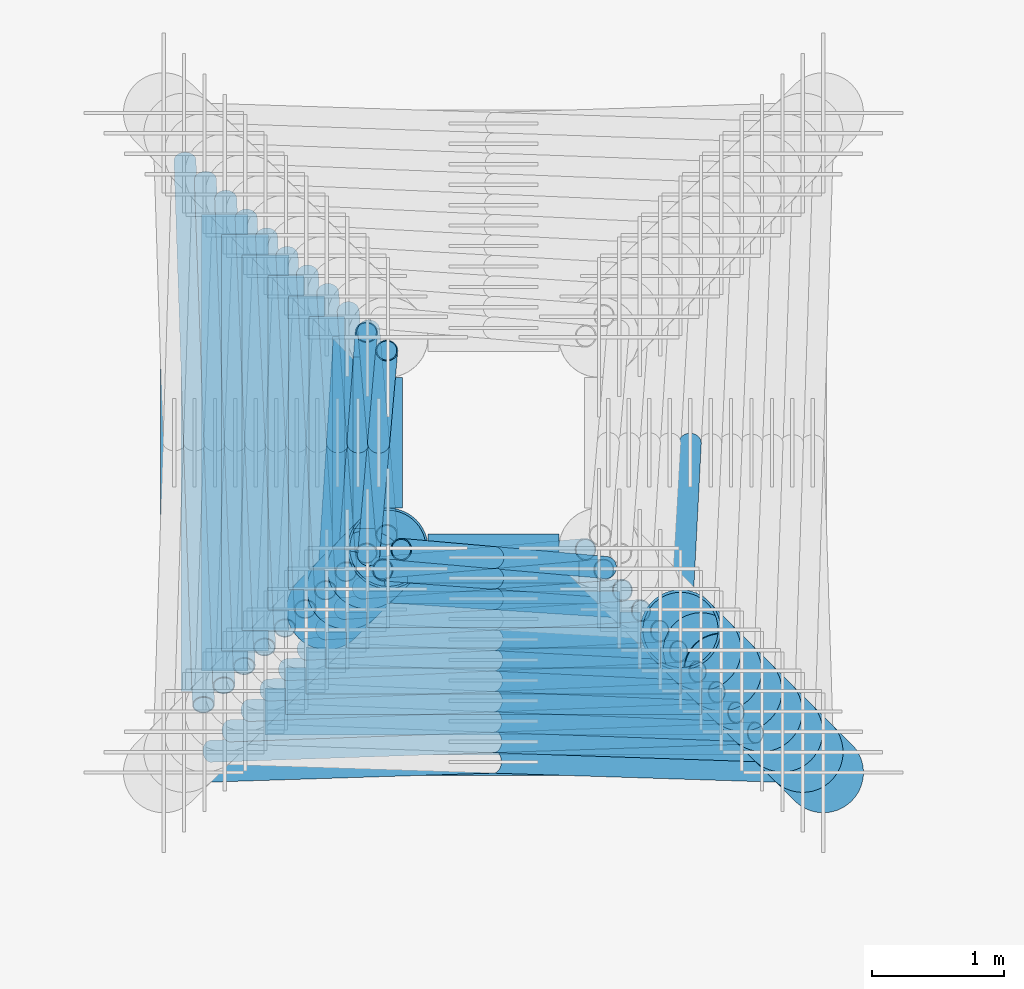
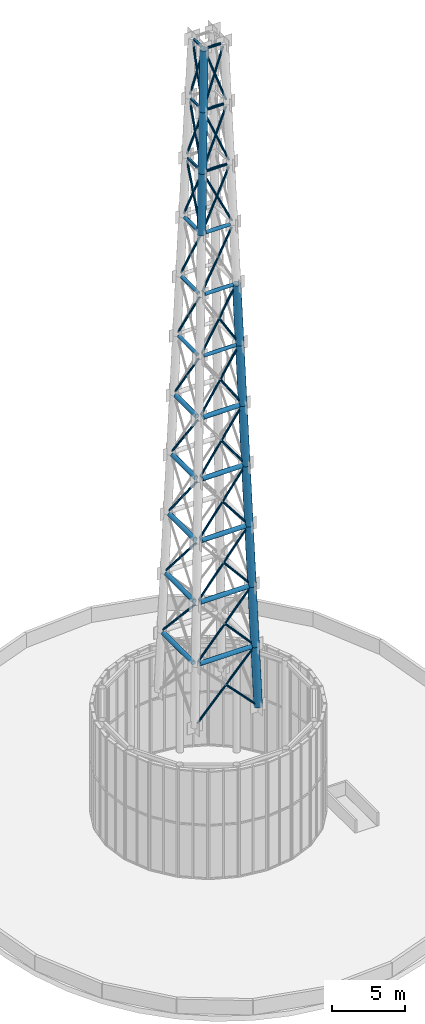
# One storey, part 3 of 11: 73 members.
"""IFC4 building model written with IfcOpenShell, lengths in metres."""

from ifc_helpers import new_model, si_unit, direction, frame, origin, origin_2d, place, context, subcontext, project, spatial, hollow_circle, extrude, material, material_profile, profile_set, type_object, element, save


model = new_model("IFC4")

# Units and contexts
model_context = context("Model", 3, precision=1e-05, world=origin(), true_north=direction((0.0, 1.0)))
body_context = subcontext(model_context, "Body", "Model", "MODEL_VIEW")
ifc_project = project(units=[si_unit("LENGTHUNIT", "METRE"), si_unit("AREAUNIT", "SQUARE_METRE"), si_unit("VOLUMEUNIT", "CUBIC_METRE"), si_unit("PLANEANGLEUNIT", "RADIAN"), si_unit("MASSUNIT", "GRAM", prefix="KILO")], contexts=[model_context])

# Site, building, storey
site_placement = place(None, origin())
site = spatial("IfcSite", under=ifc_project, at=site_placement, CompositionType="ELEMENT")
building_placement = place(site_placement, origin())
building = spatial("IfcBuilding", under=site, at=building_placement, Name="Vermilion Reach Broadcast Tower", CompositionType="ELEMENT")
storey_placement = place(building_placement, frame((0.0, 0.0, 329.699951171875)))
storey = spatial("IfcBuildingStorey", under=building, at=storey_placement, Name="RF", CompositionType="ELEMENT", Elevation=329.699951171875)

# Members
ifc_material_1 = material(Name="Steel S355J2H", Category="steel")
ifc_material_profile_1 = material_profile(ifc_material_1, hollow_circle(Radius=0.084228515625, WallThickness=0.008056640625, at=origin_2d()), Name="S355J2H CHS 168x8")
ifc_profile_set_1 = profile_set([ifc_material_profile_1], Name="Steel S355J2H")
member_type_1 = type_object("IfcMemberType", Name="MBR CHS 168x8", PredefinedType="BRACE", material=ifc_profile_set_1)
member_1_placement = place(storey_placement, frame((-8.287841796875, -2.4931640625, 9.718994140625), z_axis=(0.695761707887, 0.022168783779, 0.717930491666), x_axis=(-0.031846448183, 0.99949277323, 0.0)))
element("IfcMember", 1, at=member_1_placement, inside=storey, type_object=member_type_1, Name="Mast brace panel 1", PredefinedType="BRACE", context=body_context, shape_type="SweptSolid", body=[
    extrude(hollow_circle(Radius=0.084228515625, WallThickness=0.008056640625, at=origin_2d()), origin(), (0.0, 0.0, 1.0), 6.3544921875),
])
member_2_placement = place(storey_placement, frame((-3.712158203125, -2.4931640625, 9.718994140625), z_axis=(-0.695745823055, 0.022199125077, 0.717944948132), x_axis=(-0.031890717869, -0.9994913617, 0.0)))
element("IfcMember", 2, at=member_2_placement, inside=storey, type_object=member_type_1, Name="Mast brace panel 1", PredefinedType="BRACE", context=body_context, shape_type="SweptSolid", body=[
    extrude(hollow_circle(Radius=0.084228515625, WallThickness=0.008056640625, at=origin_2d()), origin(), (0.0, 0.0, 1.0), 3.288330078125),
])
member_3_placement = place(storey_placement, frame((-8.140625, -2.33837890625, 14.725830078125), z_axis=(0.671770828267, 0.022852051485, 0.740406468119), x_axis=(-0.033997964486, 0.999421902107, 0.0)))
element("IfcMember", 3, at=member_3_placement, inside=storey, type_object=member_type_1, Name="Mast brace panel 2", PredefinedType="BRACE", context=body_context, shape_type="SweptSolid", body=[
    extrude(hollow_circle(Radius=0.084228515625, WallThickness=0.008056640625, at=origin_2d()), origin(), (0.0, 0.0, 1.0), 6.14306640625),
])
member_4_placement = place(storey_placement, frame((-3.859375, -2.33837890625, 14.725830078125), z_axis=(-0.671764937339, 0.022831426931, 0.740412449184), x_axis=(-0.033967613409, -0.999422934117, 0.0)))
element("IfcMember", 4, at=member_4_placement, inside=storey, type_object=member_type_1, Name="Mast brace panel 2", PredefinedType="BRACE", context=body_context, shape_type="SweptSolid", body=[
    extrude(hollow_circle(Radius=0.084228515625, WallThickness=0.008056640625, at=origin_2d()), origin(), (0.0, 0.0, 1.0), 3.1865234375),
])
member_5_placement = place(storey_placement, frame((-8.33837890625, 2.140625, 14.725830078125), z_axis=(0.022852051485, -0.671770828267, 0.740406468119), x_axis=(0.999421902107, 0.033997964486, 0.0)))
element("IfcMember", 5, at=member_5_placement, inside=storey, type_object=member_type_1, Name="Mast brace panel 2", PredefinedType="BRACE", context=body_context, shape_type="SweptSolid", body=[
    extrude(hollow_circle(Radius=0.084228515625, WallThickness=0.008056640625, at=origin_2d()), origin(), (0.0, 0.0, 1.0), 6.14306640625),
])
member_6_placement = place(storey_placement, frame((-7.994140625, -2.18359375, 19.73291015625), z_axis=(0.645480445535, 0.023594585476, 0.763412267368), x_axis=(-0.036529128567, 0.999332588664, 0.0)))
element("IfcMember", 6, at=member_6_placement, inside=storey, type_object=member_type_1, Name="Mast brace panel 3", PredefinedType="BRACE", context=body_context, shape_type="SweptSolid", body=[
    extrude(hollow_circle(Radius=0.084228515625, WallThickness=0.008056640625, at=origin_2d()), origin(), (0.0, 0.0, 1.0), 5.939453125),
])
member_7_placement = place(storey_placement, frame((-4.005859375, -2.18359375, 19.73291015625), z_axis=(-0.645454876267, 0.023548672028, 0.763435303577), x_axis=(-0.036459582305, -0.999335128402, 0.0)))
element("IfcMember", 7, at=member_7_placement, inside=storey, type_object=member_type_1, Name="Mast brace panel 3", PredefinedType="BRACE", context=body_context, shape_type="SweptSolid", body=[
    extrude(hollow_circle(Radius=0.084228515625, WallThickness=0.008056640625, at=origin_2d()), origin(), (0.0, 0.0, 1.0), 3.089599609375),
])
member_8_placement = place(storey_placement, frame((-8.18359375, 1.994140625, 19.73291015625), z_axis=(0.023594585476, -0.645480445535, 0.763412267368), x_axis=(0.999332588664, 0.036529128567, 0.0)))
element("IfcMember", 8, at=member_8_placement, inside=storey, type_object=member_type_1, Name="Mast brace panel 3", PredefinedType="BRACE", context=body_context, shape_type="SweptSolid", body=[
    extrude(hollow_circle(Radius=0.084228515625, WallThickness=0.008056640625, at=origin_2d()), origin(), (0.0, 0.0, 1.0), 5.939453125),
])
member_9_placement = place(storey_placement, frame((-7.848388671875, -2.029052734375, 24.739990234375), z_axis=(0.616646763717, 0.024353063313, 0.78686320101), x_axis=(-0.039461966708, 0.999221073228, 0.0)))
element("IfcMember", 9, at=member_9_placement, inside=storey, type_object=member_type_1, Name="Mast brace panel 4", PredefinedType="BRACE", context=body_context, shape_type="SweptSolid", body=[
    extrude(hollow_circle(Radius=0.084228515625, WallThickness=0.008056640625, at=origin_2d()), origin(), (0.0, 0.0, 1.0), 5.744384765625),
])
member_10_placement = place(storey_placement, frame((-4.151611328125, -2.029052734375, 24.739990234375), z_axis=(-0.61664143797, 0.024352897894, 0.786867379768), x_axis=(-0.039462039366, -0.999221070359, 0.0)))
element("IfcMember", 10, at=member_10_placement, inside=storey, type_object=member_type_1, Name="Mast brace panel 4", PredefinedType="BRACE", context=body_context, shape_type="SweptSolid", body=[
    extrude(hollow_circle(Radius=0.084228515625, WallThickness=0.008056640625, at=origin_2d()), origin(), (0.0, 0.0, 1.0), 2.99755859375),
])
member_11_placement = place(storey_placement, frame((-8.029052734375, 1.848388671875, 24.739990234375), z_axis=(0.024353063313, -0.616646763717, 0.78686320101), x_axis=(0.999221073228, 0.039461966708, 0.0)))
element("IfcMember", 11, at=member_11_placement, inside=storey, type_object=member_type_1, Name="Mast brace panel 4", PredefinedType="BRACE", context=body_context, shape_type="SweptSolid", body=[
    extrude(hollow_circle(Radius=0.084228515625, WallThickness=0.008056640625, at=origin_2d()), origin(), (0.0, 0.0, 1.0), 5.744384765625),
])
member_12_placement = place(storey_placement, frame((-7.703369140625, -1.874267578125, 29.747314453125), z_axis=(0.585086671812, 0.02507953529, 0.810582878784), x_axis=(-0.042825324697, 0.999082574948, 0.0)))
element("IfcMember", 12, at=member_12_placement, inside=storey, type_object=member_type_1, Name="Mast brace panel 5", PredefinedType="BRACE", context=body_context, shape_type="SweptSolid", body=[
    extrude(hollow_circle(Radius=0.084228515625, WallThickness=0.008056640625, at=origin_2d()), origin(), (0.0, 0.0, 1.0), 5.55859375),
])
member_13_placement = place(storey_placement, frame((-4.296630859375, -1.874267578125, 29.747314453125), z_axis=(-0.585086004445, 0.025073916487, 0.810583534322), x_axis=(-0.042815796476, -0.999082983326, 0.0)))
element("IfcMember", 13, at=member_13_placement, inside=storey, type_object=member_type_1, Name="Mast brace panel 5", PredefinedType="BRACE", context=body_context, shape_type="SweptSolid", body=[
    extrude(hollow_circle(Radius=0.084228515625, WallThickness=0.008056640625, at=origin_2d()), origin(), (0.0, 0.0, 1.0), 2.911376953125),
])
member_14_placement = place(storey_placement, frame((-7.874267578125, 1.703369140625, 29.747314453125), z_axis=(0.02507953529, -0.585086671812, 0.810582878784), x_axis=(0.999082574948, 0.042825324697, 0.0)))
element("IfcMember", 14, at=member_14_placement, inside=storey, type_object=member_type_1, Name="Mast brace panel 5", PredefinedType="BRACE", context=body_context, shape_type="SweptSolid", body=[
    extrude(hollow_circle(Radius=0.084228515625, WallThickness=0.008056640625, at=origin_2d()), origin(), (0.0, 0.0, 1.0), 5.55859375),
])
member_15_placement = place(storey_placement, frame((-7.559326171875, -1.719482421875, 34.754638671875), z_axis=(0.550668216389, 0.025807611822, 0.834325166006), x_axis=(-0.046814607173, 0.998903595226, 0.0)))
element("IfcMember", 15, at=member_15_placement, inside=storey, type_object=member_type_1, Name="Mast brace panel 6", PredefinedType="BRACE", context=body_context, shape_type="SweptSolid", body=[
    extrude(hollow_circle(Radius=0.084228515625, WallThickness=0.008056640625, at=origin_2d()), origin(), (0.0, 0.0, 1.0), 5.3828125),
])
member_16_placement = place(storey_placement, frame((-4.440673828125, -1.719482421875, 34.754638671875), z_axis=(-0.550669955429, 0.025778975524, 0.834324903505), x_axis=(-0.046762627674, -0.998906029941, 0.0)))
element("IfcMember", 16, at=member_16_placement, inside=storey, type_object=member_type_1, Name="Mast brace panel 6", PredefinedType="BRACE", context=body_context, shape_type="SweptSolid", body=[
    extrude(hollow_circle(Radius=0.084228515625, WallThickness=0.008056640625, at=origin_2d()), origin(), (0.0, 0.0, 1.0), 2.831787109375),
])
member_17_placement = place(storey_placement, frame((-7.719482421875, 1.559326171875, 34.754638671875), z_axis=(0.025807611822, -0.550668216389, 0.834325166006), x_axis=(0.998903595226, 0.046814607173, 0.0)))
element("IfcMember", 17, at=member_17_placement, inside=storey, type_object=member_type_1, Name="Mast brace panel 6", PredefinedType="BRACE", context=body_context, shape_type="SweptSolid", body=[
    extrude(hollow_circle(Radius=0.084228515625, WallThickness=0.008056640625, at=origin_2d()), origin(), (0.0, 0.0, 1.0), 5.3828125),
])
member_18_placement = place(storey_placement, frame((-7.416259765625, -1.564697265625, 39.76171875), z_axis=(0.513192774051, 0.026527514166, 0.857863315252), x_axis=(-0.051622208984, 0.998666684905, 0.0)))
element("IfcMember", 18, at=member_18_placement, inside=storey, type_object=member_type_1, Name="Mast brace panel 7", PredefinedType="BRACE", context=body_context, shape_type="SweptSolid", body=[
    extrude(hollow_circle(Radius=0.084228515625, WallThickness=0.008056640625, at=origin_2d()), origin(), (0.0, 0.0, 1.0), 5.21826171875),
])
member_19_placement = place(storey_placement, frame((-4.583740234375, -1.564697265625, 39.76171875), z_axis=(-0.513195243844, 0.026540005715, 0.857861451397), x_axis=(-0.051646204667, -0.998665444252, 0.0)))
element("IfcMember", 19, at=member_19_placement, inside=storey, type_object=member_type_1, Name="Mast brace panel 7", PredefinedType="BRACE", context=body_context, shape_type="SweptSolid", body=[
    extrude(hollow_circle(Radius=0.084228515625, WallThickness=0.008056640625, at=origin_2d()), origin(), (0.0, 0.0, 1.0), 2.759765625),
])
member_20_placement = place(storey_placement, frame((-4.508544921875, 0.0, 42.129150390625), z_axis=(-0.026513492734, -0.513190001673, 0.857865407209), x_axis=(0.998668076836, -0.051595274093, 0.0)))
element("IfcMember", 20, at=member_20_placement, inside=storey, type_object=member_type_1, Name="Mast brace panel 7", PredefinedType="BRACE", context=body_context, shape_type="SweptSolid", body=[
    extrude(hollow_circle(Radius=0.084228515625, WallThickness=0.008056640625, at=origin_2d()), origin(), (0.0, 0.0, 1.0), 2.45849609375),
])
member_21_placement = place(storey_placement, frame((-7.564697265625, 1.416259765625, 39.76171875), z_axis=(0.026527514166, -0.513192774051, 0.857863315252), x_axis=(0.998666684905, 0.051622208984, 0.0)))
element("IfcMember", 21, at=member_21_placement, inside=storey, type_object=member_type_1, Name="Mast brace panel 7", PredefinedType="BRACE", context=body_context, shape_type="SweptSolid", body=[
    extrude(hollow_circle(Radius=0.084228515625, WallThickness=0.008056640625, at=origin_2d()), origin(), (0.0, 0.0, 1.0), 5.21826171875),
])
for number, where, z_axis, x_axis, name in (
    (22, (-7.274169921875, -1.409912109375, 44.768798828125), (0.472521016669, 0.027228391068, 0.880898690841), (-0.057528229701, 0.998343880027, 0.0), "Mast brace panel 8"),
    (23, (-7.409912109375, 1.274169921875, 44.768798828125), (0.027228391068, -0.472521016669, 0.880898690841), (0.998343880027, 0.057528229701, 0.0), "Mast brace panel 8"),
):
    element("IfcMember", number, at=place(storey_placement, frame(where, z_axis=z_axis, x_axis=x_axis)), inside=storey, type_object=member_type_1, Name=name, PredefinedType="BRACE", context=body_context, shape_type="SweptSolid", body=[
        extrude(hollow_circle(Radius=0.084228515625, WallThickness=0.008056640625, at=origin_2d()), origin(), (0.0, 0.0, 1.0), 5.06591796875),
    ])
member_22_placement = place(storey_placement, frame((-7.1328125, -1.255126953125, 49.775390625), z_axis=(0.428509681885, 0.027899959628, 0.903106330829), x_axis=(-0.064971717424, 0.997887105807, 0.0)))
element("IfcMember", 24, at=member_22_placement, inside=storey, type_object=member_type_1, Name="Mast brace panel 9", PredefinedType="BRACE", context=body_context, shape_type="SweptSolid", body=[
    extrude(hollow_circle(Radius=0.084228515625, WallThickness=0.008056640625, at=origin_2d()), origin(), (0.0, 0.0, 1.0), 4.926513671875),
])
member_23_placement = place(storey_placement, frame((-4.8671875, -1.255126953125, 49.775390625), z_axis=(-0.428511234295, 0.027890170853, 0.903105896588), x_axis=(-0.064948783797, -0.997888598734, 0.0)))
element("IfcMember", 25, at=member_23_placement, inside=storey, type_object=member_type_1, Name="Mast brace panel 9", PredefinedType="BRACE", context=body_context, shape_type="SweptSolid", body=[
    extrude(hollow_circle(Radius=0.084228515625, WallThickness=0.008056640625, at=origin_2d()), origin(), (0.0, 0.0, 1.0), 2.6435546875),
])
member_24_placement = place(storey_placement, frame((-6.0, -1.181396484375, 52.162841796875), z_axis=(-0.428507884197, 0.027911294678, 0.903106833553), x_axis=(-0.06499827383, -0.997885376383, 0.0)))
element("IfcMember", 26, at=member_24_placement, inside=storey, type_object=member_type_1, Name="Mast brace panel 9", PredefinedType="BRACE", context=body_context, shape_type="SweptSolid", body=[
    extrude(hollow_circle(Radius=0.084228515625, WallThickness=0.008056640625, at=origin_2d()), origin(), (0.0, 0.0, 1.0), 2.282958984375),
])
member_25_placement = place(storey_placement, frame((-7.255126953125, 1.1328125, 49.775390625), z_axis=(0.027899959628, -0.428509681885, 0.903106330829), x_axis=(0.997887105807, 0.064971717424, 0.0)))
element("IfcMember", 27, at=member_25_placement, inside=storey, type_object=member_type_1, Name="Mast brace panel 9", PredefinedType="BRACE", context=body_context, shape_type="SweptSolid", body=[
    extrude(hollow_circle(Radius=0.084228515625, WallThickness=0.008056640625, at=origin_2d()), origin(), (0.0, 0.0, 1.0), 4.926513671875),
])
member_26_placement = place(storey_placement, frame((-7.255126953125, -1.1328125, 49.775390625), z_axis=(0.027890170853, 0.428511234295, 0.903105896588), x_axis=(-0.997888598734, 0.064948783797, 0.0)))
element("IfcMember", 28, at=member_26_placement, inside=storey, type_object=member_type_1, Name="Mast brace panel 9", PredefinedType="BRACE", context=body_context, shape_type="SweptSolid", body=[
    extrude(hollow_circle(Radius=0.084228515625, WallThickness=0.008056640625, at=origin_2d()), origin(), (0.0, 0.0, 1.0), 2.6435546875),
])
member_27_placement = place(storey_placement, frame((-7.181396484375, 0.0, 52.162841796875), z_axis=(0.027911294678, 0.428507884197, 0.903106833553), x_axis=(-0.997885376383, 0.06499827383, 0.0)))
element("IfcMember", 29, at=member_27_placement, inside=storey, type_object=member_type_1, Name="Mast brace panel 9", PredefinedType="BRACE", context=body_context, shape_type="SweptSolid", body=[
    extrude(hollow_circle(Radius=0.084228515625, WallThickness=0.008056640625, at=origin_2d()), origin(), (0.0, 0.0, 1.0), 2.282958984375),
])
member_28_placement = place(storey_placement, frame((-6.99267578125, -1.100341796875, 54.781982421875), z_axis=(0.381325637338, 0.028577811466, 0.923998954004), x_axis=(-0.074733748511, 0.997203523276, 0.0)))
element("IfcMember", 30, at=member_28_placement, inside=storey, type_object=member_type_1, Name="Mast brace panel 10", PredefinedType="BRACE", context=body_context, shape_type="SweptSolid", body=[
    extrude(hollow_circle(Radius=0.084228515625, WallThickness=0.008056640625, at=origin_2d()), origin(), (0.0, 0.0, 1.0), 4.80126953125),
])
member_29_placement = place(storey_placement, frame((-5.00732421875, -1.100341796875, 54.781982421875), z_axis=(-0.381340199973, 0.02851141682, 0.923994995114), x_axis=(-0.07455825494, -0.997216659819, 0.0)))
element("IfcMember", 31, at=member_29_placement, inside=storey, type_object=member_type_1, Name="Mast brace panel 10", PredefinedType="BRACE", context=body_context, shape_type="SweptSolid", body=[
    extrude(hollow_circle(Radius=0.084228515625, WallThickness=0.008056640625, at=origin_2d()), origin(), (0.0, 0.0, 1.0), 2.60302734375),
])
member_30_placement = place(storey_placement, frame((-6.0, -1.026123046875, 57.187255859375), z_axis=(-0.381308388698, 0.028656441679, 0.924003636929), x_axis=(-0.074941591802, -0.997187925026, 0.0)))
element("IfcMember", 32, at=member_30_placement, inside=storey, type_object=member_type_1, Name="Mast brace panel 10", PredefinedType="BRACE", context=body_context, shape_type="SweptSolid", body=[
    extrude(hollow_circle(Radius=0.084228515625, WallThickness=0.008056640625, at=origin_2d()), origin(), (0.0, 0.0, 1.0), 2.197998046875),
])
member_31_placement = place(storey_placement, frame((-7.100341796875, 0.99267578125, 54.781982421875), z_axis=(0.028577811466, -0.381325637338, 0.923998954004), x_axis=(0.997203523276, 0.074733748511, 0.0)))
element("IfcMember", 33, at=member_31_placement, inside=storey, type_object=member_type_1, Name="Mast brace panel 10", PredefinedType="BRACE", context=body_context, shape_type="SweptSolid", body=[
    extrude(hollow_circle(Radius=0.084228515625, WallThickness=0.008056640625, at=origin_2d()), origin(), (0.0, 0.0, 1.0), 4.80126953125),
])
member_32_placement = place(storey_placement, frame((-7.100341796875, -0.99267578125, 54.781982421875), z_axis=(0.02851141682, 0.381340199973, 0.923994995114), x_axis=(-0.997216659819, 0.07455825494, 0.0)))
element("IfcMember", 34, at=member_32_placement, inside=storey, type_object=member_type_1, Name="Mast brace panel 10", PredefinedType="BRACE", context=body_context, shape_type="SweptSolid", body=[
    extrude(hollow_circle(Radius=0.084228515625, WallThickness=0.008056640625, at=origin_2d()), origin(), (0.0, 0.0, 1.0), 2.60302734375),
])
member_33_placement = place(storey_placement, frame((-7.026123046875, 0.0, 57.187255859375), z_axis=(0.028656441679, 0.381308388698, 0.924003636929), x_axis=(-0.997187925026, 0.074941591802, 0.0)))
element("IfcMember", 35, at=member_33_placement, inside=storey, type_object=member_type_1, Name="Mast brace panel 10", PredefinedType="BRACE", context=body_context, shape_type="SweptSolid", body=[
    extrude(hollow_circle(Radius=0.084228515625, WallThickness=0.008056640625, at=origin_2d()), origin(), (0.0, 0.0, 1.0), 2.197998046875),
])
member_34_placement = place(storey_placement, frame((-6.853515625, -0.945556640625, 59.787841796875), z_axis=(0.330949505994, 0.029144790589, 0.943198285444), x_axis=(-0.087724652663, 0.996144761225, 0.0)))
element("IfcMember", 36, at=member_34_placement, inside=storey, type_object=member_type_1, Name="Mast brace panel 11", PredefinedType="BRACE", context=body_context, shape_type="SweptSolid", body=[
    extrude(hollow_circle(Radius=0.084228515625, WallThickness=0.008056640625, at=origin_2d()), origin(), (0.0, 0.0, 1.0), 4.69091796875),
])
member_35_placement = place(storey_placement, frame((-5.146484375, -0.945556640625, 59.787841796875), z_axis=(-0.330964683072, 0.029158215786, 0.943192545036), x_axis=(-0.087760757141, -0.996141581055, 0.0)))
element("IfcMember", 37, at=member_35_placement, inside=storey, type_object=member_type_1, Name="Mast brace panel 11", PredefinedType="BRACE", context=body_context, shape_type="SweptSolid", body=[
    extrude(hollow_circle(Radius=0.084228515625, WallThickness=0.008056640625, at=origin_2d()), origin(), (0.0, 0.0, 1.0), 2.578857421875),
])
member_36_placement = place(storey_placement, frame((-6.0, -0.870361328125, 62.22021484375), z_axis=(-0.330930975003, 0.029128398778, 0.943205293756), x_axis=(-0.087680565134, -0.996148642773, 0.0)))
element("IfcMember", 38, at=member_36_placement, inside=storey, type_object=member_type_1, Name="Mast brace panel 11", PredefinedType="BRACE", context=body_context, shape_type="SweptSolid", body=[
    extrude(hollow_circle(Radius=0.084228515625, WallThickness=0.008056640625, at=origin_2d()), origin(), (0.0, 0.0, 1.0), 2.112060546875),
])
member_37_placement = place(storey_placement, frame((-6.945556640625, 0.853515625, 59.787841796875), z_axis=(0.029144790589, -0.330949505994, 0.943198285444), x_axis=(0.996144761225, 0.087724652663, 0.0)))
element("IfcMember", 39, at=member_37_placement, inside=storey, type_object=member_type_1, Name="Mast brace panel 11", PredefinedType="BRACE", context=body_context, shape_type="SweptSolid", body=[
    extrude(hollow_circle(Radius=0.084228515625, WallThickness=0.008056640625, at=origin_2d()), origin(), (0.0, 0.0, 1.0), 4.69091796875),
])
member_38_placement = place(storey_placement, frame((-6.945556640625, -0.853515625, 59.787841796875), z_axis=(0.029158215786, 0.330964683072, 0.943192545036), x_axis=(-0.996141581055, 0.087760757141, 0.0)))
element("IfcMember", 40, at=member_38_placement, inside=storey, type_object=member_type_1, Name="Mast brace panel 11", PredefinedType="BRACE", context=body_context, shape_type="SweptSolid", body=[
    extrude(hollow_circle(Radius=0.084228515625, WallThickness=0.008056640625, at=origin_2d()), origin(), (0.0, 0.0, 1.0), 2.578857421875),
])
member_39_placement = place(storey_placement, frame((-6.870361328125, 0.0, 62.22021484375), z_axis=(0.029128398778, 0.330930975003, 0.943205293756), x_axis=(-0.996148642773, 0.087680565134, 0.0)))
element("IfcMember", 41, at=member_39_placement, inside=storey, type_object=member_type_1, Name="Mast brace panel 11", PredefinedType="BRACE", context=body_context, shape_type="SweptSolid", body=[
    extrude(hollow_circle(Radius=0.084228515625, WallThickness=0.008056640625, at=origin_2d()), origin(), (0.0, 0.0, 1.0), 2.112060546875),
])
ifc_material_2 = material(Name="Steel S355J2H", Category="steel")
ifc_material_profile_2 = material_profile(ifc_material_2, hollow_circle(Radius=0.304931640625, WallThickness=0.02490234375, at=origin_2d()), Name="S355J2H CHS 610x25")
ifc_profile_set_2 = profile_set([ifc_material_profile_2], Name="Steel S355J2H")
member_type_2 = type_object("IfcMemberType", Name="MLG1 CHS 610x25", PredefinedType="POST", material=ifc_profile_set_2)
for number, where, z_axis, x_axis, name in (
    (42, (-3.5, -2.5, 9.5), (-0.030878718237, 0.030878718237, 0.99904604975), (-0.707106781187, -0.707106781187, 0.0), "Mast leg L2 panel 1"),
    (43, (-3.654541015625, -2.345458984375, 14.5), (-0.030878718237, 0.030878718237, 0.99904604975), (-0.707106781187, -0.707106781187, 0.0), "Mast leg L2 panel 2"),
    (44, (-3.80908203125, -2.19091796875, 19.5), (-0.030878718237, 0.030878718237, 0.99904604975), (-0.707106781187, -0.707106781187, 0.0), "Mast leg L2 panel 3"),
    (45, (-3.963623046875, -2.036376953125, 24.5), (-0.030878718237, 0.030878718237, 0.99904604975), (-0.707106781187, -0.707106781187, 0.0), "Mast leg L2 panel 4"),
    (46, (-4.1181640625, -1.8818359375, 29.5), (-0.030878718237, 0.030878718237, 0.99904604975), (-0.707106781187, -0.707106781187, 0.0), "Mast leg L2 panel 5"),
):
    element("IfcMember", number, at=place(storey_placement, frame(where, z_axis=z_axis, x_axis=x_axis)), inside=storey, type_object=member_type_2, Name=name, PredefinedType="POST", context=body_context, shape_type="SweptSolid", body=[
        extrude(hollow_circle(Radius=0.304931640625, WallThickness=0.02490234375, at=origin_2d()), origin(), (0.0, 0.0, 1.0), 5.0048828125),
    ])
ifc_material_3 = material(Name="Steel S355J2H", Category="steel")
ifc_material_profile_3 = material_profile(ifc_material_3, hollow_circle(Radius=0.304931640625, WallThickness=0.02001953125, at=origin_2d()), Name="S355J2H CHS 610x20")
ifc_profile_set_3 = profile_set([ifc_material_profile_3], Name="Steel S355J2H")
member_type_3 = type_object("IfcMemberType", Name="MLG2 CHS 610x20", PredefinedType="POST", material=ifc_profile_set_3)
for number, where, z_axis, x_axis, name in (
    (47, (-4.272705078125, -1.727294921875, 34.5), (-0.030878718237, 0.030878718237, 0.99904604975), (-0.707106781187, -0.707106781187, 0.0), "Mast leg L2 panel 6"),
    (48, (-4.42724609375, -1.57275390625, 39.5), (-0.030878718237, 0.030878718237, 0.99904604975), (-0.707106781187, -0.707106781187, 0.0), "Mast leg L2 panel 7"),
):
    element("IfcMember", number, at=place(storey_placement, frame(where, z_axis=z_axis, x_axis=x_axis)), inside=storey, type_object=member_type_3, Name=name, PredefinedType="POST", context=body_context, shape_type="SweptSolid", body=[
        extrude(hollow_circle(Radius=0.304931640625, WallThickness=0.02001953125, at=origin_2d()), origin(), (0.0, 0.0, 1.0), 5.0048828125),
    ])
ifc_material_4 = material(Name="Steel S355J2H", Category="steel")
ifc_material_profile_4 = material_profile(ifc_material_4, hollow_circle(Radius=0.304931640625, WallThickness=0.01611328125, at=origin_2d()), Name="S355J2H CHS 610x16")
ifc_profile_set_4 = profile_set([ifc_material_profile_4], Name="Steel S355J2H")
member_type_4 = type_object("IfcMemberType", Name="MLG3 CHS 610x16", PredefinedType="POST", material=ifc_profile_set_4)
for number, where, z_axis, x_axis, name in (
    (49, (-7.263671875, -1.263671875, 49.5), (0.030878718237, 0.030878718237, 0.99904604975), (-0.707106781187, 0.707106781187, 0.0), "Mast leg L1 panel 9"),
    (50, (-7.109130859375, -1.109130859375, 54.5), (0.030878718237, 0.030878718237, 0.99904604975), (-0.707106781187, 0.707106781187, 0.0), "Mast leg L1 panel 10"),
    (51, (-6.95458984375, -0.95458984375, 59.5), (0.030878718237, 0.030878718237, 0.99904604975), (-0.707106781187, 0.707106781187, 0.0), "Mast leg L1 panel 11"),
):
    element("IfcMember", number, at=place(storey_placement, frame(where, z_axis=z_axis, x_axis=x_axis)), inside=storey, type_object=member_type_4, Name=name, PredefinedType="POST", context=body_context, shape_type="SweptSolid", body=[
        extrude(hollow_circle(Radius=0.304931640625, WallThickness=0.01611328125, at=origin_2d()), origin(), (0.0, 0.0, 1.0), 5.0048828125),
    ])
ifc_material_5 = material(Name="Steel S355J2H", Category="steel")
ifc_material_profile_5 = material_profile(ifc_material_5, hollow_circle(Radius=0.177734375, WallThickness=0.013916015625, at=origin_2d()), Name="S355J2H CHS 356x14")
ifc_profile_set_5 = profile_set([ifc_material_profile_5], Name="Steel S355J2H")
member_type_5 = type_object("IfcMemberType", Name="MTE1 CHS 356x14", PredefinedType="STRUT", material=ifc_profile_set_5)
for number, where, z_axis, x_axis, name in (
    (52, (-8.04052734375, -2.345458984375, 14.5), (1.0, 0.0, 0.0), (0.0, 1.0, 0.0), "Mast tie level 1"),
    (53, (-8.345458984375, 2.04052734375, 14.5), (0.0, -1.0, 0.0), (1.0, 0.0, 0.0), "Mast tie level 1"),
):
    element("IfcMember", number, at=place(storey_placement, frame(where, z_axis=z_axis, x_axis=x_axis)), inside=storey, type_object=member_type_5, Name=name, PredefinedType="STRUT", context=body_context, shape_type="SweptSolid", body=[
        extrude(hollow_circle(Radius=0.177734375, WallThickness=0.013916015625, at=origin_2d()), origin(), (0.0, 0.0, 1.0), 4.0810546875),
    ])
for number, where, z_axis, x_axis, name in (
    (54, (-7.885986328125, -2.19091796875, 19.5), (1.0, 0.0, 0.0), (0.0, 1.0, 0.0), "Mast tie level 2"),
    (55, (-8.19091796875, 1.885986328125, 19.5), (0.0, -1.0, 0.0), (1.0, 0.0, 0.0), "Mast tie level 2"),
):
    element("IfcMember", number, at=place(storey_placement, frame(where, z_axis=z_axis, x_axis=x_axis)), inside=storey, type_object=member_type_5, Name=name, PredefinedType="STRUT", context=body_context, shape_type="SweptSolid", body=[
        extrude(hollow_circle(Radius=0.177734375, WallThickness=0.013916015625, at=origin_2d()), origin(), (0.0, 0.0, 1.0), 3.77197265625),
    ])
for number, where, z_axis, x_axis, name in (
    (56, (-7.7314453125, -2.036376953125, 24.5), (1.0, 0.0, 0.0), (0.0, 1.0, 0.0), "Mast tie level 3"),
    (57, (-8.036376953125, 1.7314453125, 24.5), (0.0, -1.0, 0.0), (1.0, 0.0, 0.0), "Mast tie level 3"),
):
    element("IfcMember", number, at=place(storey_placement, frame(where, z_axis=z_axis, x_axis=x_axis)), inside=storey, type_object=member_type_5, Name=name, PredefinedType="STRUT", context=body_context, shape_type="SweptSolid", body=[
        extrude(hollow_circle(Radius=0.177734375, WallThickness=0.013916015625, at=origin_2d()), origin(), (0.0, 0.0, 1.0), 3.462890625),
    ])
for number, where, z_axis, x_axis, name in (
    (58, (-7.576904296875, -1.8818359375, 29.5), (1.0, 0.0, 0.0), (0.0, 1.0, 0.0), "Mast tie level 4"),
    (59, (-7.8818359375, 1.576904296875, 29.5), (0.0, -1.0, 0.0), (1.0, 0.0, 0.0), "Mast tie level 4"),
):
    element("IfcMember", number, at=place(storey_placement, frame(where, z_axis=z_axis, x_axis=x_axis)), inside=storey, type_object=member_type_5, Name=name, PredefinedType="STRUT", context=body_context, shape_type="SweptSolid", body=[
        extrude(hollow_circle(Radius=0.177734375, WallThickness=0.013916015625, at=origin_2d()), origin(), (0.0, 0.0, 1.0), 3.15380859375),
    ])
for number, where, z_axis, x_axis, name in (
    (60, (-7.42236328125, -1.727294921875, 34.5), (1.0, 0.0, 0.0), (0.0, 1.0, 0.0), "Mast tie level 5"),
    (61, (-7.727294921875, 1.42236328125, 34.5), (0.0, -1.0, 0.0), (1.0, 0.0, 0.0), "Mast tie level 5"),
):
    element("IfcMember", number, at=place(storey_placement, frame(where, z_axis=z_axis, x_axis=x_axis)), inside=storey, type_object=member_type_5, Name=name, PredefinedType="STRUT", context=body_context, shape_type="SweptSolid", body=[
        extrude(hollow_circle(Radius=0.177734375, WallThickness=0.013916015625, at=origin_2d()), origin(), (0.0, 0.0, 1.0), 2.8447265625),
    ])
ifc_material_6 = material(Name="Steel S355J2H", Category="steel")
ifc_material_profile_6 = material_profile(ifc_material_6, hollow_circle(Radius=0.136474609375, WallThickness=0.011962890625, at=origin_2d()), Name="S355J2H CHS 273x12")
ifc_profile_set_6 = profile_set([ifc_material_profile_6], Name="Steel S355J2H")
member_type_6 = type_object("IfcMemberType", Name="MTE2 CHS 273x12", PredefinedType="STRUT", material=ifc_profile_set_6)
for number, where, z_axis, x_axis, name in (
    (62, (-7.267822265625, -1.57275390625, 39.5), (1.0, 0.0, 0.0), (0.0, 1.0, 0.0), "Mast tie level 6"),
    (63, (-7.57275390625, 1.267822265625, 39.5), (0.0, -1.0, 0.0), (1.0, 0.0, 0.0), "Mast tie level 6"),
):
    element("IfcMember", number, at=place(storey_placement, frame(where, z_axis=z_axis, x_axis=x_axis)), inside=storey, type_object=member_type_6, Name=name, PredefinedType="STRUT", context=body_context, shape_type="SweptSolid", body=[
        extrude(hollow_circle(Radius=0.136474609375, WallThickness=0.011962890625, at=origin_2d()), origin(), (0.0, 0.0, 1.0), 2.53564453125),
    ])
for number, where, z_axis, x_axis, name in (
    (64, (-7.11328125, -1.418212890625, 44.5), (1.0, 0.0, 0.0), (0.0, 1.0, 0.0), "Mast tie level 7"),
    (65, (-7.418212890625, 1.11328125, 44.5), (0.0, -1.0, 0.0), (1.0, 0.0, 0.0), "Mast tie level 7"),
):
    element("IfcMember", number, at=place(storey_placement, frame(where, z_axis=z_axis, x_axis=x_axis)), inside=storey, type_object=member_type_6, Name=name, PredefinedType="STRUT", context=body_context, shape_type="SweptSolid", body=[
        extrude(hollow_circle(Radius=0.136474609375, WallThickness=0.011962890625, at=origin_2d()), origin(), (0.0, 0.0, 1.0), 2.2265625),
    ])
for number, where, z_axis, x_axis, name in (
    (66, (-6.958740234375, -1.263671875, 49.5), (1.0, 0.0, 0.0), (0.0, 1.0, 0.0), "Mast tie level 8"),
    (67, (-7.263671875, 0.958740234375, 49.5), (0.0, -1.0, 0.0), (1.0, 0.0, 0.0), "Mast tie level 8"),
):
    element("IfcMember", number, at=place(storey_placement, frame(where, z_axis=z_axis, x_axis=x_axis)), inside=storey, type_object=member_type_6, Name=name, PredefinedType="STRUT", context=body_context, shape_type="SweptSolid", body=[
        extrude(hollow_circle(Radius=0.136474609375, WallThickness=0.011962890625, at=origin_2d()), origin(), (0.0, 0.0, 1.0), 1.91748046875),
    ])
ifc_material_7 = material(Name="Steel S355J2H", Category="steel")
ifc_material_profile_7 = material_profile(ifc_material_7, hollow_circle(Radius=0.109619140625, WallThickness=0.010009765625, at=origin_2d()), Name="S355J2H CHS 219x10")
ifc_profile_set_7 = profile_set([ifc_material_profile_7], Name="Steel S355J2H")
member_type_7 = type_object("IfcMemberType", Name="MTE3 CHS 219x10", PredefinedType="STRUT", material=ifc_profile_set_7)
for number, where, z_axis, x_axis, name in (
    (68, (-6.80419921875, -1.109130859375, 54.5), (1.0, 0.0, 0.0), (0.0, 1.0, 0.0), "Mast tie level 9"),
    (69, (-7.109130859375, 0.80419921875, 54.5), (0.0, -1.0, 0.0), (1.0, 0.0, 0.0), "Mast tie level 9"),
):
    element("IfcMember", number, at=place(storey_placement, frame(where, z_axis=z_axis, x_axis=x_axis)), inside=storey, type_object=member_type_7, Name=name, PredefinedType="STRUT", context=body_context, shape_type="SweptSolid", body=[
        extrude(hollow_circle(Radius=0.109619140625, WallThickness=0.010009765625, at=origin_2d()), origin(), (0.0, 0.0, 1.0), 1.6083984375),
    ])
for number, where, z_axis, x_axis, name in (
    (70, (-6.649658203125, -0.95458984375, 59.5), (1.0, 0.0, 0.0), (0.0, 1.0, 0.0), "Mast tie level 10"),
    (71, (-6.95458984375, 0.649658203125, 59.5), (0.0, -1.0, 0.0), (1.0, 0.0, 0.0), "Mast tie level 10"),
):
    element("IfcMember", number, at=place(storey_placement, frame(where, z_axis=z_axis, x_axis=x_axis)), inside=storey, type_object=member_type_7, Name=name, PredefinedType="STRUT", context=body_context, shape_type="SweptSolid", body=[
        extrude(hollow_circle(Radius=0.109619140625, WallThickness=0.010009765625, at=origin_2d()), origin(), (0.0, 0.0, 1.0), 1.29931640625),
    ])
for number, where, z_axis, x_axis, name in (
    (72, (-6.4951171875, -0.800048828125, 64.5), (1.0, 0.0, 0.0), (0.0, 1.0, 0.0), "Mast tie level 11"),
    (73, (-6.800048828125, 0.4951171875, 64.5), (0.0, -1.0, 0.0), (1.0, 0.0, 0.0), "Mast tie level 11"),
):
    element("IfcMember", number, at=place(storey_placement, frame(where, z_axis=z_axis, x_axis=x_axis)), inside=storey, type_object=member_type_7, Name=name, PredefinedType="STRUT", context=body_context, shape_type="SweptSolid", body=[
        extrude(hollow_circle(Radius=0.109619140625, WallThickness=0.010009765625, at=origin_2d()), origin(), (0.0, 0.0, 1.0), 0.990234375),
    ])

save(model, "model.ifc")
